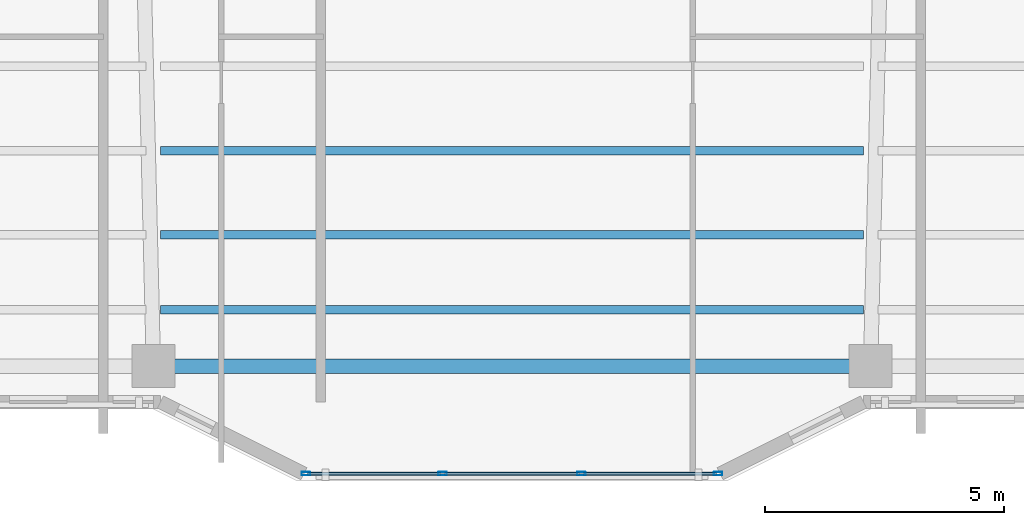
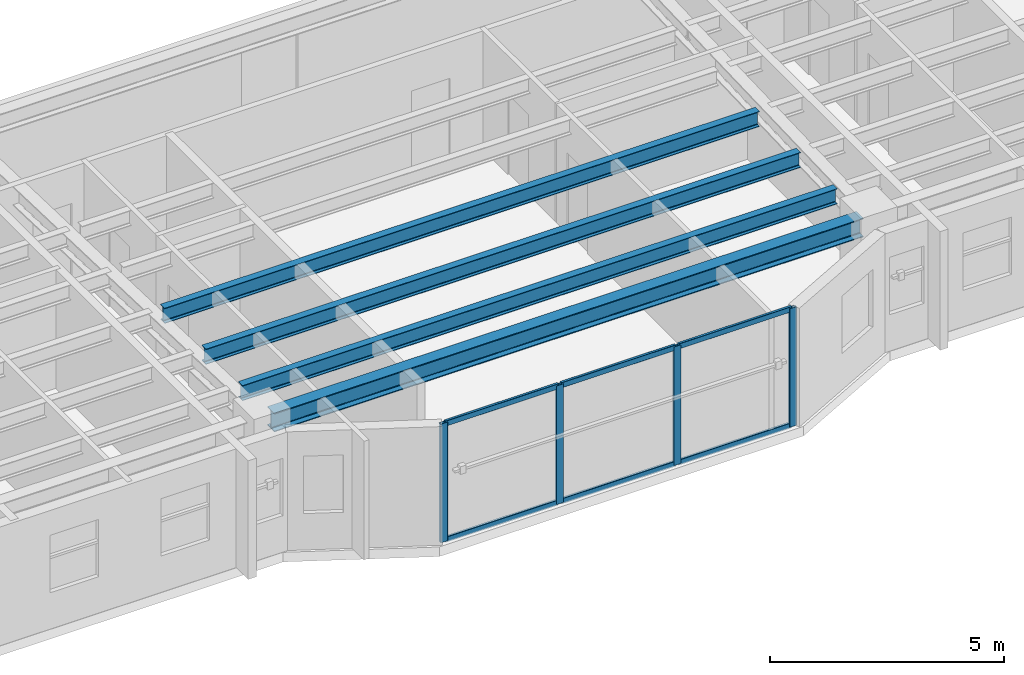
# One storey, part 2 of 16: 10 members, 4 beams, 1 element without a shape of its own.
"""IFC4 building model written with IfcOpenShell, lengths in metres."""

from ifc_helpers import new_model, si_unit, direction, frame, origin, origin_2d, place, context, subcontext, project, spatial, hollow_rectangle, i_section, extrude, material, layer, layer_set, material_profile, profile_set, type_object, element, aggregate, save


model = new_model("IFC4")

# Units and contexts
model_context = context("Model", 3, precision=1e-05, world=origin(), true_north=direction((0.0, 1.0)))
body_context = subcontext(model_context, "Body", "Model", "MODEL_VIEW")
ifc_project = project(units=[si_unit("LENGTHUNIT", "METRE"), si_unit("AREAUNIT", "SQUARE_METRE"), si_unit("VOLUMEUNIT", "CUBIC_METRE"), si_unit("PLANEANGLEUNIT", "RADIAN"), si_unit("MASSUNIT", "GRAM", prefix="KILO")], contexts=[model_context])

# Site, building, storey
site_placement = place(None, origin())
site = spatial("IfcSite", under=ifc_project, at=site_placement, CompositionType="ELEMENT")
building_placement = place(site_placement, origin())
building = spatial("IfcBuilding", under=site, at=building_placement, Name="Tarnavaz Court Tower", CompositionType="ELEMENT")
storey_placement = place(building_placement, frame((0.0, 0.0, 166.10009765625)))
storey = spatial("IfcBuildingStorey", under=building, at=storey_placement, Name="L45", CompositionType="ELEMENT", Elevation=166.10009765625)

# Beams
ifc_material_1 = material(Name="Steel S355", Category="steel")
ifc_material_profile_1 = material_profile(ifc_material_1, i_section(OverallWidth=0.179931640625, OverallDepth=0.39990234375, WebThickness=0.008544921875, FlangeThickness=0.013427734375, FilletRadius=0.02099609375, at=origin_2d()), Name="IPE 400")
ifc_profile_set_1 = profile_set([ifc_material_profile_1], Name="Steel S355")
beam_type_1 = type_object("IfcBeamType", Name="BM-J-IPE400", PredefinedType="JOIST", material=ifc_profile_set_1)
for number, where, z_axis, x_axis, name in (
    (1, (-7.35009765625, -15.89208984375, 2.89990234375), (1.0, 0.0, 0.0), (0.0, 1.0, 0.0), "L45 Beam JS3-2"),
    (2, (-7.35009765625, -17.656005859375, 2.89990234375), (1.0, 0.0, 0.0), (0.0, 1.0, 0.0), "L45 Beam JS4-2"),
    (3, (-7.35009765625, -19.22412109375, 2.89990234375), (1.0, 0.0, 0.0), (0.0, 1.0, 0.0), "L45 Beam JS5-2"),
):
    element("IfcBeam", number, at=place(storey_placement, frame(where, z_axis=z_axis, x_axis=x_axis)), inside=storey, type_object=beam_type_1, Name=name, PredefinedType="JOIST", context=body_context, shape_type="SweptSolid", body=[
        extrude(i_section(OverallWidth=0.179931640625, OverallDepth=0.39990234375, WebThickness=0.008544921875, FlangeThickness=0.013427734375, FilletRadius=0.02099609375, at=origin_2d()), origin(), (0.0, 0.0, 1.0), 14.7001953125),
    ])
ifc_material_profile_2 = material_profile(ifc_material_1, i_section(OverallWidth=0.300048828125, OverallDepth=0.489990234375, WebThickness=0.011962890625, FlangeThickness=0.02294921875, FilletRadius=0.027099609375, at=origin_2d()), Name="HEA 500")
ifc_profile_set_2 = profile_set([ifc_material_profile_2], Name="Steel S355")
beam_type_2 = type_object("IfcBeamType", Name="BM-SP-HEA500", PredefinedType="SPANDREL", material=ifc_profile_set_2)
beam_placement = place(storey_placement, frame((-7.280029296875, -20.39990234375, 2.85498046875), z_axis=(1.0, 0.0, 0.0), x_axis=(0.0, 1.0, 0.0)))
element("IfcBeam", 4, at=beam_placement, inside=storey, type_object=beam_type_2, Name="L45 Beam PR-PS-2-PS-3", PredefinedType="SPANDREL", context=body_context, shape_type="SweptSolid", body=[
    extrude(i_section(OverallWidth=0.300048828125, OverallDepth=0.489990234375, WebThickness=0.011962890625, FlangeThickness=0.02294921875, FilletRadius=0.027099609375, at=origin_2d()), origin(), (0.0, 0.0, 1.0), 14.56005859375),
])

# Curtain wall, members
ifc_material_2 = material(Name="Anodised Aluminium 6063-T6 and Solar Low-E Glazing", Category="aluminium")
ifc_layer = layer(ifc_material_2, 0.159912109375)
ifc_layer_set = layer_set([ifc_layer], Name="Anodised Aluminium 6063-T6 and Solar Low-E Glazing")
curtain_wall_type = type_object("IfcCurtainWallType", Name="CW-SYS-03", PredefinedType="NOTDEFINED", material=ifc_layer_set)
curtain_wall_placement = place(storey_placement, origin())
curtain_wall = element("IfcCurtainWall", 5, at=curtain_wall_placement, inside=storey, type_object=curtain_wall_type, Name="L45 Iwan Prow Curtain Wall 17", PredefinedType="NOTDEFINED")
ifc_material_3 = material(Name="Anodised Aluminium 6063-T6", Category="aluminium")
ifc_material_profile_3 = material_profile(ifc_material_3, hollow_rectangle(XDim=0.074951171875, YDim=0.179931640625, WallThickness=0.0048828125, InnerFilletRadius=0.0048828125, OuterFilletRadius=0.010009765625, at=origin_2d()), Name="ALU RHS 180X75X5")
ifc_profile_set_3 = profile_set([ifc_material_profile_3], Name="Anodised Aluminium 6063-T6")
member_type_1 = type_object("IfcMemberType", Name="CW-MUL-180", PredefinedType="MULLION", material=ifc_profile_set_3)
member_1_placement = place(storey_placement, frame((4.3125, -22.64990234375, 0.0), z_axis=(0.0, 0.0, 1.0), x_axis=(0.0, -1.0, 0.0)))
member_1 = element("IfcMember", 6, at=member_1_placement, type_object=member_type_1, Name="CW mullion 1", PredefinedType="MULLION", context=body_context, shape_type="SweptSolid", body=[
    extrude(hollow_rectangle(XDim=0.074951171875, YDim=0.179931640625, WallThickness=0.0048828125, InnerFilletRadius=0.0048828125, OuterFilletRadius=0.010009765625, at=origin_2d()), origin(), (0.0, 0.0, 1.0), 3.099853515625),
])
member_2_placement = place(storey_placement, frame((1.449951171875, -22.64990234375, 0.0), z_axis=(0.0, 0.0, 1.0), x_axis=(0.0, -1.0, 0.0)))
member_2 = element("IfcMember", 7, at=member_2_placement, type_object=member_type_1, Name="CW mullion 2", PredefinedType="MULLION", context=body_context, shape_type="SweptSolid", body=[
    extrude(hollow_rectangle(XDim=0.074951171875, YDim=0.179931640625, WallThickness=0.0048828125, InnerFilletRadius=0.0048828125, OuterFilletRadius=0.010009765625, at=origin_2d()), origin(), (0.0, 0.0, 1.0), 3.099853515625),
])
member_3_placement = place(storey_placement, frame((-1.449951171875, -22.64990234375, 0.0), z_axis=(0.0, 0.0, 1.0), x_axis=(0.0, -1.0, 0.0)))
member_3 = element("IfcMember", 8, at=member_3_placement, type_object=member_type_1, Name="CW mullion 3", PredefinedType="MULLION", context=body_context, shape_type="SweptSolid", body=[
    extrude(hollow_rectangle(XDim=0.074951171875, YDim=0.179931640625, WallThickness=0.0048828125, InnerFilletRadius=0.0048828125, OuterFilletRadius=0.010009765625, at=origin_2d()), origin(), (0.0, 0.0, 1.0), 3.099853515625),
])
member_4_placement = place(storey_placement, frame((-4.3125, -22.64990234375, 0.0), z_axis=(0.0, 0.0, 1.0), x_axis=(0.0, -1.0, 0.0)))
member_4 = element("IfcMember", 9, at=member_4_placement, type_object=member_type_1, Name="CW mullion 4", PredefinedType="MULLION", context=body_context, shape_type="SweptSolid", body=[
    extrude(hollow_rectangle(XDim=0.074951171875, YDim=0.179931640625, WallThickness=0.0048828125, InnerFilletRadius=0.0048828125, OuterFilletRadius=0.010009765625, at=origin_2d()), origin(), (0.0, 0.0, 1.0), 3.099853515625),
])
ifc_material_profile_4 = material_profile(ifc_material_3, hollow_rectangle(XDim=0.06494140625, YDim=0.139892578125, WallThickness=0.00390625, InnerFilletRadius=0.00390625, OuterFilletRadius=0.008056640625, at=origin_2d()), Name="ALU RHS 140X65X4")
ifc_profile_set_4 = profile_set([ifc_material_profile_4], Name="Anodised Aluminium 6063-T6")
member_type_2 = type_object("IfcMemberType", Name="CW-TRN-140", PredefinedType="USERDEFINED", material=ifc_profile_set_4)
member_5_placement = place(storey_placement, frame((4.27490234375, -22.64990234375, 0.032470703125), z_axis=(-1.0, 0.0, 0.0), x_axis=(0.0, -1.0, 0.0)))
member_5 = element("IfcMember", 10, at=member_5_placement, type_object=member_type_2, Name="CW transom 1.1", ObjectType="TRANSOM", PredefinedType="USERDEFINED", context=body_context, shape_type="SweptSolid", body=[
    extrude(hollow_rectangle(XDim=0.06494140625, YDim=0.139892578125, WallThickness=0.00390625, InnerFilletRadius=0.00390625, OuterFilletRadius=0.008056640625, at=origin_2d()), origin(), (0.0, 0.0, 1.0), 2.787353515625),
])
member_6_placement = place(storey_placement, frame((4.27490234375, -22.64990234375, 3.0673828125), z_axis=(-1.0, 0.0, 0.0), x_axis=(0.0, -1.0, 0.0)))
member_6 = element("IfcMember", 11, at=member_6_placement, type_object=member_type_2, Name="CW transom 1.2", ObjectType="TRANSOM", PredefinedType="USERDEFINED", context=body_context, shape_type="SweptSolid", body=[
    extrude(hollow_rectangle(XDim=0.06494140625, YDim=0.139892578125, WallThickness=0.00390625, InnerFilletRadius=0.00390625, OuterFilletRadius=0.008056640625, at=origin_2d()), origin(), (0.0, 0.0, 1.0), 2.787353515625),
])
member_7_placement = place(storey_placement, frame((1.41259765625, -22.64990234375, 0.032470703125), z_axis=(-1.0, 0.0, 0.0), x_axis=(0.0, -1.0, 0.0)))
member_7 = element("IfcMember", 12, at=member_7_placement, type_object=member_type_2, Name="CW transom 2.1", ObjectType="TRANSOM", PredefinedType="USERDEFINED", context=body_context, shape_type="SweptSolid", body=[
    extrude(hollow_rectangle(XDim=0.06494140625, YDim=0.139892578125, WallThickness=0.00390625, InnerFilletRadius=0.00390625, OuterFilletRadius=0.008056640625, at=origin_2d()), origin(), (0.0, 0.0, 1.0), 2.8251953125),
])
member_8_placement = place(storey_placement, frame((1.41259765625, -22.64990234375, 3.0673828125), z_axis=(-1.0, 0.0, 0.0), x_axis=(0.0, -1.0, 0.0)))
member_8 = element("IfcMember", 13, at=member_8_placement, type_object=member_type_2, Name="CW transom 2.2", ObjectType="TRANSOM", PredefinedType="USERDEFINED", context=body_context, shape_type="SweptSolid", body=[
    extrude(hollow_rectangle(XDim=0.06494140625, YDim=0.139892578125, WallThickness=0.00390625, InnerFilletRadius=0.00390625, OuterFilletRadius=0.008056640625, at=origin_2d()), origin(), (0.0, 0.0, 1.0), 2.8251953125),
])
member_9_placement = place(storey_placement, frame((-1.487548828125, -22.64990234375, 0.032470703125), z_axis=(-1.0, 0.0, 0.0), x_axis=(0.0, -1.0, 0.0)))
member_9 = element("IfcMember", 14, at=member_9_placement, type_object=member_type_2, Name="CW transom 3.1", ObjectType="TRANSOM", PredefinedType="USERDEFINED", context=body_context, shape_type="SweptSolid", body=[
    extrude(hollow_rectangle(XDim=0.06494140625, YDim=0.139892578125, WallThickness=0.00390625, InnerFilletRadius=0.00390625, OuterFilletRadius=0.008056640625, at=origin_2d()), origin(), (0.0, 0.0, 1.0), 2.787353515625),
])
member_10_placement = place(storey_placement, frame((-1.487548828125, -22.64990234375, 3.0673828125), z_axis=(-1.0, 0.0, 0.0), x_axis=(0.0, -1.0, 0.0)))
member_10 = element("IfcMember", 15, at=member_10_placement, type_object=member_type_2, Name="CW transom 3.2", ObjectType="TRANSOM", PredefinedType="USERDEFINED", context=body_context, shape_type="SweptSolid", body=[
    extrude(hollow_rectangle(XDim=0.06494140625, YDim=0.139892578125, WallThickness=0.00390625, InnerFilletRadius=0.00390625, OuterFilletRadius=0.008056640625, at=origin_2d()), origin(), (0.0, 0.0, 1.0), 2.787353515625),
])
aggregate(curtain_wall, [member_1, member_2, member_3, member_4, member_5, member_6, member_7, member_8, member_9, member_10])

save(model, "model.ifc")
